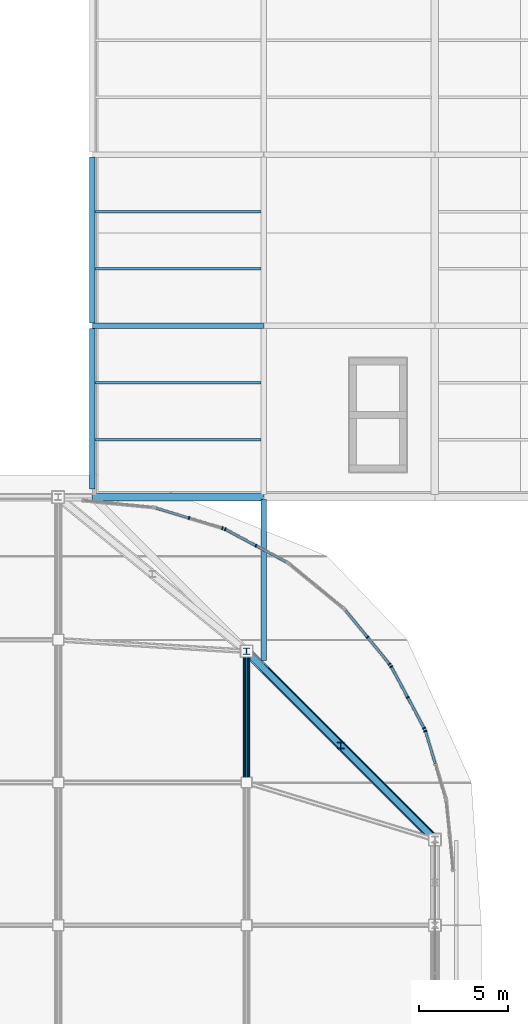
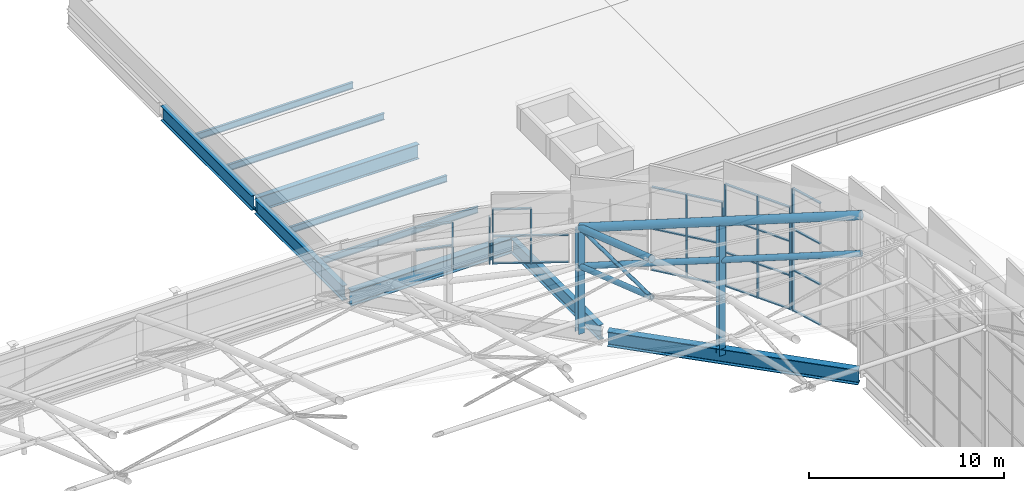
# One storey, part 29 of 42: 42 members, 10 beams, 5 elements without a shape of their own.
"""IFC4 building model written with IfcOpenShell, lengths in metres."""

from ifc_helpers import new_model, si_unit, direction, frame, origin, origin_2d, place, context, subcontext, project, spatial, rectangle, hollow_circle, i_section, extrude, material, layer, layer_set, material_profile, profile_set, type_object, element, aggregate, save


model = new_model("IFC4")

# Units and contexts
model_context = context("Model", 3, precision=1e-05, world=origin(), true_north=direction((0.0, 1.0)))
body_context = subcontext(model_context, "Body", "Model", "MODEL_VIEW")
ifc_project = project(units=[si_unit("LENGTHUNIT", "METRE"), si_unit("AREAUNIT", "SQUARE_METRE"), si_unit("VOLUMEUNIT", "CUBIC_METRE"), si_unit("PLANEANGLEUNIT", "RADIAN"), si_unit("MASSUNIT", "GRAM", prefix="KILO")], contexts=[model_context])

# Site, building, storey
site_placement = place(None, origin())
site = spatial("IfcSite", under=ifc_project, at=site_placement, CompositionType="ELEMENT")
building_placement = place(site_placement, origin())
building = spatial("IfcBuilding", under=site, at=building_placement, Name="Caelomonte Colonnade Arena", CompositionType="ELEMENT")
storey_placement = place(building_placement, frame((0.0, 0.0, 28.199951171875)))
storey = spatial("IfcBuildingStorey", under=building, at=storey_placement, Name="RF", CompositionType="ELEMENT", Elevation=28.199951171875)

# Curtain wall, member
ifc_material_1 = material(Name="Bronze anodised aluminium and low-E glazing", Category="aluminium")
ifc_layer_1 = layer(ifc_material_1, 0.179931640625)
ifc_layer_set_1 = layer_set([ifc_layer_1], Name="Bronze anodised aluminium and low-E glazing")
curtain_wall_type_1 = type_object("IfcCurtainWallType", Name="ENV-CW-CW-TYMPC-02-77", PredefinedType="USERDEFINED", material=ifc_layer_set_1)
curtain_wall_1_placement = place(storey_placement, origin())
curtain_wall_1 = element("IfcCurtainWall", 1, at=curtain_wall_1_placement, inside=storey, type_object=curtain_wall_type_1, Name="Barrel arch rounded corner clerestory curtain wall 10", ObjectType="UNITIZED CURTAIN WALL", PredefinedType="USERDEFINED")
ifc_material_2 = material(Name="Bronze anodised aluminium AA6063-T6", Category="aluminium")
ifc_material_profile_1 = material_profile(ifc_material_2, rectangle(XDim=0.070068359375, YDim=0.179931640625, at=origin_2d()), Name="CWM-70X180")
ifc_profile_set_1 = profile_set([ifc_material_profile_1], Name="Bronze anodised aluminium AA6063-T6")
member_type_1 = type_object("IfcMemberType", Name="ENV-CW-MULL1", PredefinedType="MULLION", material=ifc_profile_set_1)
member_1_placement = place(storey_placement, frame((162.659912109375, 102.086181640625, -0.14990234375), z_axis=(0.0, 0.0, 1.0), x_axis=(-0.290266004632, 0.956945999811, 0.0)))
member_1 = element("IfcMember", 2, at=member_1_placement, type_object=member_type_1, Name="CW-TYMPC-02-77 mullion 3", PredefinedType="MULLION", context=body_context, shape_type="SweptSolid", body=[
    extrude(rectangle(XDim=0.070068359375, YDim=0.179931640625, at=origin_2d()), origin(), (0.0, 0.0, 1.0), 7.666259765625),
])

# Curtain wall, members
ifc_layer_2 = layer(ifc_material_1, 0.179931640625)
ifc_layer_set_2 = layer_set([ifc_layer_2], Name="Bronze anodised aluminium and low-E glazing")
curtain_wall_type_2 = type_object("IfcCurtainWallType", Name="ENV-CW-CW-TYMPC-03-64", PredefinedType="USERDEFINED", material=ifc_layer_set_2)
curtain_wall_2_placement = place(storey_placement, origin())
curtain_wall_2 = element("IfcCurtainWall", 3, at=curtain_wall_2_placement, inside=storey, type_object=curtain_wall_type_2, Name="Barrel arch rounded corner clerestory curtain wall 11", ObjectType="UNITIZED CURTAIN WALL", PredefinedType="USERDEFINED")
member_2_placement = place(storey_placement, frame((162.59521484375, 102.242431640625, -0.14990234375), z_axis=(0.0, 0.0, 1.0), x_axis=(-0.471391087795, 0.881924283795, 0.0)))
member_2 = element("IfcMember", 4, at=member_2_placement, type_object=member_type_1, Name="CW-TYMPC-03-64 mullion 1", PredefinedType="MULLION", context=body_context, shape_type="SweptSolid", body=[
    extrude(rectangle(XDim=0.070068359375, YDim=0.179931640625, at=origin_2d()), origin(), (0.0, 0.0, 1.0), 6.40966796875),
])
member_3_placement = place(storey_placement, frame((161.673095703125, 103.96728515625, -0.14990234375), z_axis=(0.0, 0.0, 1.0), x_axis=(-0.471391087795, 0.881924283795, 0.0)))
member_3 = element("IfcMember", 5, at=member_3_placement, type_object=member_type_1, Name="CW-TYMPC-03-64 mullion 2", PredefinedType="MULLION", context=body_context, shape_type="SweptSolid", body=[
    extrude(rectangle(XDim=0.070068359375, YDim=0.179931640625, at=origin_2d()), origin(), (0.0, 0.0, 1.0), 6.40966796875),
])
member_4_placement = place(storey_placement, frame((160.751220703125, 105.692138671875, -0.14990234375), z_axis=(0.0, 0.0, 1.0), x_axis=(-0.471391087795, 0.881924283795, 0.0)))
member_4 = element("IfcMember", 6, at=member_4_placement, type_object=member_type_1, Name="CW-TYMPC-03-64 mullion 3", PredefinedType="MULLION", context=body_context, shape_type="SweptSolid", body=[
    extrude(rectangle(XDim=0.070068359375, YDim=0.179931640625, at=origin_2d()), origin(), (0.0, 0.0, 1.0), 6.40966796875),
])

ifc_layer_3 = layer(ifc_material_1, 0.179931640625)
ifc_layer_set_3 = layer_set([ifc_layer_3], Name="Bronze anodised aluminium and low-E glazing")
curtain_wall_type_3 = type_object("IfcCurtainWallType", Name="ENV-CW-CW-TYMPC-04-52", PredefinedType="USERDEFINED", material=ifc_layer_set_3)
curtain_wall_3_placement = place(storey_placement, origin())
curtain_wall_3 = element("IfcCurtainWall", 7, at=curtain_wall_3_placement, inside=storey, type_object=curtain_wall_type_3, Name="Barrel arch rounded corner clerestory curtain wall 12", ObjectType="UNITIZED CURTAIN WALL", PredefinedType="USERDEFINED")
member_5_placement = place(storey_placement, frame((160.6572265625, 105.832763671875, -0.14990234375), z_axis=(0.0, 0.0, 1.0), x_axis=(-0.634405129694, 0.773000731835, 0.0)))
member_5 = element("IfcMember", 8, at=member_5_placement, type_object=member_type_1, Name="CW-TYMPC-04-52 mullion 1", PredefinedType="MULLION", context=body_context, shape_type="SweptSolid", body=[
    extrude(rectangle(XDim=0.070068359375, YDim=0.179931640625, at=origin_2d()), origin(), (0.0, 0.0, 1.0), 5.236083984375),
])
member_6_placement = place(storey_placement, frame((159.41650390625, 107.344482421875, -0.14990234375), z_axis=(0.0, 0.0, 1.0), x_axis=(-0.634405129694, 0.773000731835, 0.0)))
member_6 = element("IfcMember", 9, at=member_6_placement, type_object=member_type_1, Name="CW-TYMPC-04-52 mullion 2", PredefinedType="MULLION", context=body_context, shape_type="SweptSolid", body=[
    extrude(rectangle(XDim=0.070068359375, YDim=0.179931640625, at=origin_2d()), origin(), (0.0, 0.0, 1.0), 5.236083984375),
])

ifc_layer_4 = layer(ifc_material_1, 0.179931640625)
ifc_layer_set_4 = layer_set([ifc_layer_4], Name="Bronze anodised aluminium and low-E glazing")
curtain_wall_type_4 = type_object("IfcCurtainWallType", Name="ENV-CW-CW-TYMPC-03-34", PredefinedType="USERDEFINED", material=ifc_layer_set_4)
curtain_wall_4_placement = place(storey_placement, origin())
curtain_wall_4 = element("IfcCurtainWall", 10, at=curtain_wall_4_placement, inside=storey, type_object=curtain_wall_type_4, Name="Barrel arch rounded corner clerestory curtain wall 14", ObjectType="UNITIZED CURTAIN WALL", PredefinedType="USERDEFINED")
member_7_placement = place(storey_placement, frame((153.167236328125, 112.47314453125, -0.14990234375), z_axis=(0.0, 0.0, 1.0), x_axis=(-0.881924283795, 0.471391087795, 0.0)))
member_7 = element("IfcMember", 11, at=member_7_placement, type_object=member_type_1, Name="CW-TYMPC-03-34 mullion 2", PredefinedType="MULLION", context=body_context, shape_type="SweptSolid", body=[
    extrude(rectangle(XDim=0.070068359375, YDim=0.179931640625, at=origin_2d()), origin(), (0.0, 0.0, 1.0), 3.43994140625),
])
member_8_placement = place(storey_placement, frame((151.4423828125, 113.39501953125, -0.14990234375), z_axis=(0.0, 0.0, 1.0), x_axis=(-0.881924283795, 0.471391087795, 0.0)))
member_8 = element("IfcMember", 12, at=member_8_placement, type_object=member_type_1, Name="CW-TYMPC-03-34 mullion 3", PredefinedType="MULLION", context=body_context, shape_type="SweptSolid", body=[
    extrude(rectangle(XDim=0.070068359375, YDim=0.179931640625, at=origin_2d()), origin(), (0.0, 0.0, 1.0), 3.43994140625),
])

ifc_layer_5 = layer(ifc_material_1, 0.179931640625)
ifc_layer_set_5 = layer_set([ifc_layer_5], Name="Bronze anodised aluminium and low-E glazing")
curtain_wall_type_5 = type_object("IfcCurtainWallType", Name="ENV-CW-CW-TYMPC-02-29", PredefinedType="USERDEFINED", material=ifc_layer_set_5)
curtain_wall_5_placement = place(storey_placement, origin())
curtain_wall_5 = element("IfcCurtainWall", 13, at=curtain_wall_5_placement, inside=storey, type_object=curtain_wall_type_5, Name="Barrel arch rounded corner clerestory curtain wall 15", ObjectType="UNITIZED CURTAIN WALL", PredefinedType="USERDEFINED")
member_9_placement = place(storey_placement, frame((151.2861328125, 113.4599609375, -0.14990234375), z_axis=(0.0, 0.0, 1.0), x_axis=(-0.956945999811, 0.290266004632, 0.0)))
member_9 = element("IfcMember", 14, at=member_9_placement, type_object=member_type_1, Name="CW-TYMPC-02-29 mullion 1", PredefinedType="MULLION", context=body_context, shape_type="SweptSolid", body=[
    extrude(rectangle(XDim=0.070068359375, YDim=0.179931640625, at=origin_2d()), origin(), (0.0, 0.0, 1.0), 2.945556640625),
])
member_10_placement = place(storey_placement, frame((149.41455078125, 114.027587890625, -0.14990234375), z_axis=(0.0, 0.0, 1.0), x_axis=(-0.956945999811, 0.290266004632, 0.0)))
member_10 = element("IfcMember", 15, at=member_10_placement, type_object=member_type_1, Name="CW-TYMPC-02-29 mullion 2", PredefinedType="MULLION", context=body_context, shape_type="SweptSolid", body=[
    extrude(rectangle(XDim=0.070068359375, YDim=0.179931640625, at=origin_2d()), origin(), (0.0, 0.0, 1.0), 2.945556640625),
])

# Member
ifc_material_profile_2 = material_profile(ifc_material_2, rectangle(XDim=0.070068359375, YDim=0.139892578125, at=origin_2d()), Name="CWT-70X140")
ifc_profile_set_2 = profile_set([ifc_material_profile_2], Name="Bronze anodised aluminium AA6063-T6")
member_type_2 = type_object("IfcMemberType", Name="ENV-CW-TRAN1", PredefinedType="USERDEFINED", material=ifc_profile_set_2)
member_11_placement = place(storey_placement, frame((163.21728515625, 100.248046875, -0.114990234375), z_axis=(-0.29024452618, 0.956952514508, 0.0), x_axis=(0.0, 0.0, 1.0)))
member_11 = element("IfcMember", 16, at=member_11_placement, type_object=member_type_2, Name="CW-TYMPC-02-77 transom 2.1", ObjectType="TRANSOM", PredefinedType="USERDEFINED", context=body_context, shape_type="SweptSolid", body=[
    extrude(rectangle(XDim=0.070068359375, YDim=0.139892578125, at=origin_2d()), origin(), (0.0, 0.0, 1.0), 1.885986328125),
])

member_12_placement = place(storey_placement, frame((163.21728515625, 100.248046875, 2.405517578125), z_axis=(-0.29024452618, 0.956952514508, 0.0), x_axis=(0.0, 0.0, 1.0)))
member_12 = element("IfcMember", 17, at=member_12_placement, type_object=member_type_2, Name="CW-TYMPC-02-77 transom 2.2", ObjectType="TRANSOM", PredefinedType="USERDEFINED", context=body_context, shape_type="SweptSolid", body=[
    extrude(rectangle(XDim=0.070068359375, YDim=0.139892578125, at=origin_2d()), origin(), (0.0, 0.0, 1.0), 1.885986328125),
])

member_13_placement = place(storey_placement, frame((163.21728515625, 100.248046875, 4.9609375), z_axis=(-0.29024452618, 0.956952514508, 0.0), x_axis=(0.0, 0.0, 1.0)))
member_13 = element("IfcMember", 18, at=member_13_placement, type_object=member_type_2, Name="CW-TYMPC-02-77 transom 2.3", ObjectType="TRANSOM", PredefinedType="USERDEFINED", context=body_context, shape_type="SweptSolid", body=[
    extrude(rectangle(XDim=0.070068359375, YDim=0.139892578125, at=origin_2d()), origin(), (0.0, 0.0, 1.0), 1.885986328125),
])

member_14_placement = place(storey_placement, frame((163.21728515625, 100.248046875, 7.481201171875), z_axis=(-0.29024452618, 0.956952514508, 0.0), x_axis=(0.0, 0.0, 1.0)))
member_14 = element("IfcMember", 19, at=member_14_placement, type_object=member_type_2, Name="CW-TYMPC-02-77 transom 2.4", ObjectType="TRANSOM", PredefinedType="USERDEFINED", context=body_context, shape_type="SweptSolid", body=[
    extrude(rectangle(XDim=0.070068359375, YDim=0.139892578125, at=origin_2d()), origin(), (0.0, 0.0, 1.0), 1.885986328125),
])

aggregate(curtain_wall_1, [member_1, member_11, member_12, member_13, member_14])

member_15_placement = place(storey_placement, frame((162.57861328125, 102.2734375, -0.114990234375), z_axis=(-0.471441516626, 0.881897327585, 0.0), x_axis=(0.0, 0.0, 1.0)))
member_15 = element("IfcMember", 20, at=member_15_placement, type_object=member_type_2, Name="CW-TYMPC-03-64 transom 1.1", ObjectType="TRANSOM", PredefinedType="USERDEFINED", context=body_context, shape_type="SweptSolid", body=[
    extrude(rectangle(XDim=0.070068359375, YDim=0.139892578125, at=origin_2d()), origin(), (0.0, 0.0, 1.0), 1.885498046875),
])

member_16_placement = place(storey_placement, frame((162.57861328125, 102.2734375, 1.986572265625), z_axis=(-0.471441516626, 0.881897327585, 0.0), x_axis=(0.0, 0.0, 1.0)))
member_16 = element("IfcMember", 21, at=member_16_placement, type_object=member_type_2, Name="CW-TYMPC-03-64 transom 1.2", ObjectType="TRANSOM", PredefinedType="USERDEFINED", context=body_context, shape_type="SweptSolid", body=[
    extrude(rectangle(XDim=0.070068359375, YDim=0.139892578125, at=origin_2d()), origin(), (0.0, 0.0, 1.0), 1.885498046875),
])

member_17_placement = place(storey_placement, frame((162.57861328125, 102.2734375, 4.123046875), z_axis=(-0.471441516626, 0.881897327585, 0.0), x_axis=(0.0, 0.0, 1.0)))
member_17 = element("IfcMember", 22, at=member_17_placement, type_object=member_type_2, Name="CW-TYMPC-03-64 transom 1.3", ObjectType="TRANSOM", PredefinedType="USERDEFINED", context=body_context, shape_type="SweptSolid", body=[
    extrude(rectangle(XDim=0.070068359375, YDim=0.139892578125, at=origin_2d()), origin(), (0.0, 0.0, 1.0), 1.885498046875),
])

member_18_placement = place(storey_placement, frame((162.57861328125, 102.2734375, 6.224853515625), z_axis=(-0.471441516626, 0.881897327585, 0.0), x_axis=(0.0, 0.0, 1.0)))
member_18 = element("IfcMember", 23, at=member_18_placement, type_object=member_type_2, Name="CW-TYMPC-03-64 transom 1.4", ObjectType="TRANSOM", PredefinedType="USERDEFINED", context=body_context, shape_type="SweptSolid", body=[
    extrude(rectangle(XDim=0.070068359375, YDim=0.139892578125, at=origin_2d()), origin(), (0.0, 0.0, 1.0), 1.885498046875),
])

member_19_placement = place(storey_placement, frame((161.65673828125, 103.998046875, -0.114990234375), z_axis=(-0.471387688347, 0.881926100802, 0.0), x_axis=(0.0, 0.0, 1.0)))
member_19 = element("IfcMember", 24, at=member_19_placement, type_object=member_type_2, Name="CW-TYMPC-03-64 transom 2.1", ObjectType="TRANSOM", PredefinedType="USERDEFINED", context=body_context, shape_type="SweptSolid", body=[
    extrude(rectangle(XDim=0.070068359375, YDim=0.139892578125, at=origin_2d()), origin(), (0.0, 0.0, 1.0), 1.8857421875),
])

member_20_placement = place(storey_placement, frame((161.65673828125, 103.998046875, 1.986572265625), z_axis=(-0.471387688347, 0.881926100802, 0.0), x_axis=(0.0, 0.0, 1.0)))
member_20 = element("IfcMember", 25, at=member_20_placement, type_object=member_type_2, Name="CW-TYMPC-03-64 transom 2.2", ObjectType="TRANSOM", PredefinedType="USERDEFINED", context=body_context, shape_type="SweptSolid", body=[
    extrude(rectangle(XDim=0.070068359375, YDim=0.139892578125, at=origin_2d()), origin(), (0.0, 0.0, 1.0), 1.8857421875),
])

member_21_placement = place(storey_placement, frame((161.65673828125, 103.998046875, 4.123046875), z_axis=(-0.471387688347, 0.881926100802, 0.0), x_axis=(0.0, 0.0, 1.0)))
member_21 = element("IfcMember", 26, at=member_21_placement, type_object=member_type_2, Name="CW-TYMPC-03-64 transom 2.3", ObjectType="TRANSOM", PredefinedType="USERDEFINED", context=body_context, shape_type="SweptSolid", body=[
    extrude(rectangle(XDim=0.070068359375, YDim=0.139892578125, at=origin_2d()), origin(), (0.0, 0.0, 1.0), 1.8857421875),
])

member_22_placement = place(storey_placement, frame((161.65673828125, 103.998046875, 6.224853515625), z_axis=(-0.471387688347, 0.881926100802, 0.0), x_axis=(0.0, 0.0, 1.0)))
member_22 = element("IfcMember", 27, at=member_22_placement, type_object=member_type_2, Name="CW-TYMPC-03-64 transom 2.4", ObjectType="TRANSOM", PredefinedType="USERDEFINED", context=body_context, shape_type="SweptSolid", body=[
    extrude(rectangle(XDim=0.070068359375, YDim=0.139892578125, at=origin_2d()), origin(), (0.0, 0.0, 1.0), 1.8857421875),
])

aggregate(curtain_wall_2, [member_2, member_3, member_4, member_15, member_16, member_17, member_18, member_19, member_20, member_21, member_22])

member_23_placement = place(storey_placement, frame((160.635009765625, 105.85986328125, -0.114990234375), z_axis=(-0.634435651463, 0.772975681476, 0.0), x_axis=(0.0, 0.0, 1.0)))
member_23 = element("IfcMember", 28, at=member_23_placement, type_object=member_type_2, Name="CW-TYMPC-04-52 transom 1.1", ObjectType="TRANSOM", PredefinedType="USERDEFINED", context=body_context, shape_type="SweptSolid", body=[
    extrude(rectangle(XDim=0.070068359375, YDim=0.139892578125, at=origin_2d()), origin(), (0.0, 0.0, 1.0), 1.885498046875),
])

member_24_placement = place(storey_placement, frame((160.635009765625, 105.85986328125, 2.46826171875), z_axis=(-0.634435651463, 0.772975681476, 0.0), x_axis=(0.0, 0.0, 1.0)))
member_24 = element("IfcMember", 29, at=member_24_placement, type_object=member_type_2, Name="CW-TYMPC-04-52 transom 1.2", ObjectType="TRANSOM", PredefinedType="USERDEFINED", context=body_context, shape_type="SweptSolid", body=[
    extrude(rectangle(XDim=0.070068359375, YDim=0.139892578125, at=origin_2d()), origin(), (0.0, 0.0, 1.0), 1.885498046875),
])

member_25_placement = place(storey_placement, frame((160.635009765625, 105.85986328125, 5.05126953125), z_axis=(-0.634435651463, 0.772975681476, 0.0), x_axis=(0.0, 0.0, 1.0)))
member_25 = element("IfcMember", 30, at=member_25_placement, type_object=member_type_2, Name="CW-TYMPC-04-52 transom 1.3", ObjectType="TRANSOM", PredefinedType="USERDEFINED", context=body_context, shape_type="SweptSolid", body=[
    extrude(rectangle(XDim=0.070068359375, YDim=0.139892578125, at=origin_2d()), origin(), (0.0, 0.0, 1.0), 1.885498046875),
])

member_26_placement = place(storey_placement, frame((159.394287109375, 107.37158203125, -0.114990234375), z_axis=(-0.634435651463, 0.772975681476, 0.0), x_axis=(0.0, 0.0, 1.0)))
member_26 = element("IfcMember", 31, at=member_26_placement, type_object=member_type_2, Name="CW-TYMPC-04-52 transom 2.1", ObjectType="TRANSOM", PredefinedType="USERDEFINED", context=body_context, shape_type="SweptSolid", body=[
    extrude(rectangle(XDim=0.070068359375, YDim=0.139892578125, at=origin_2d()), origin(), (0.0, 0.0, 1.0), 1.885498046875),
])

member_27_placement = place(storey_placement, frame((159.394287109375, 107.37158203125, 2.46826171875), z_axis=(-0.634435651463, 0.772975681476, 0.0), x_axis=(0.0, 0.0, 1.0)))
member_27 = element("IfcMember", 32, at=member_27_placement, type_object=member_type_2, Name="CW-TYMPC-04-52 transom 2.2", ObjectType="TRANSOM", PredefinedType="USERDEFINED", context=body_context, shape_type="SweptSolid", body=[
    extrude(rectangle(XDim=0.070068359375, YDim=0.139892578125, at=origin_2d()), origin(), (0.0, 0.0, 1.0), 1.885498046875),
])

member_28_placement = place(storey_placement, frame((159.394287109375, 107.37158203125, 5.05126953125), z_axis=(-0.634435651463, 0.772975681476, 0.0), x_axis=(0.0, 0.0, 1.0)))
member_28 = element("IfcMember", 33, at=member_28_placement, type_object=member_type_2, Name="CW-TYMPC-04-52 transom 2.3", ObjectType="TRANSOM", PredefinedType="USERDEFINED", context=body_context, shape_type="SweptSolid", body=[
    extrude(rectangle(XDim=0.070068359375, YDim=0.139892578125, at=origin_2d()), origin(), (0.0, 0.0, 1.0), 1.885498046875),
])

aggregate(curtain_wall_3, [member_5, member_6, member_23, member_24, member_25, member_26, member_27, member_28])

member_29_placement = place(storey_placement, frame((154.861083984375, 111.56787109375, -0.114990234375), z_axis=(-0.881926100802, 0.471387688347, 0.0), x_axis=(0.0, 0.0, 1.0)))
member_29 = element("IfcMember", 34, at=member_29_placement, type_object=member_type_2, Name="CW-TYMPC-03-34 transom 1.1", ObjectType="TRANSOM", PredefinedType="USERDEFINED", context=body_context, shape_type="SweptSolid", body=[
    extrude(rectangle(XDim=0.070068359375, YDim=0.139892578125, at=origin_2d()), origin(), (0.0, 0.0, 1.0), 1.8857421875),
])

member_30_placement = place(storey_placement, frame((154.861083984375, 111.56787109375, 1.570068359375), z_axis=(-0.881926100802, 0.471387688347, 0.0), x_axis=(0.0, 0.0, 1.0)))
member_30 = element("IfcMember", 35, at=member_30_placement, type_object=member_type_2, Name="CW-TYMPC-03-34 transom 1.2", ObjectType="TRANSOM", PredefinedType="USERDEFINED", context=body_context, shape_type="SweptSolid", body=[
    extrude(rectangle(XDim=0.070068359375, YDim=0.139892578125, at=origin_2d()), origin(), (0.0, 0.0, 1.0), 1.8857421875),
])

member_31_placement = place(storey_placement, frame((153.136474609375, 112.48974609375, -0.114990234375), z_axis=(-0.881926100802, 0.471387688347, 0.0), x_axis=(0.0, 0.0, 1.0)))
member_31 = element("IfcMember", 36, at=member_31_placement, type_object=member_type_2, Name="CW-TYMPC-03-34 transom 2.1", ObjectType="TRANSOM", PredefinedType="USERDEFINED", context=body_context, shape_type="SweptSolid", body=[
    extrude(rectangle(XDim=0.070068359375, YDim=0.139892578125, at=origin_2d()), origin(), (0.0, 0.0, 1.0), 1.8857421875),
])

member_32_placement = place(storey_placement, frame((153.136474609375, 112.48974609375, 1.570068359375), z_axis=(-0.881926100802, 0.471387688347, 0.0), x_axis=(0.0, 0.0, 1.0)))
member_32 = element("IfcMember", 37, at=member_32_placement, type_object=member_type_2, Name="CW-TYMPC-03-34 transom 2.2", ObjectType="TRANSOM", PredefinedType="USERDEFINED", context=body_context, shape_type="SweptSolid", body=[
    extrude(rectangle(XDim=0.070068359375, YDim=0.139892578125, at=origin_2d()), origin(), (0.0, 0.0, 1.0), 1.8857421875),
])

member_33_placement = place(storey_placement, frame((153.136474609375, 112.48974609375, 3.2548828125), z_axis=(-0.881926100802, 0.471387688347, 0.0), x_axis=(0.0, 0.0, 1.0)))
member_33 = element("IfcMember", 38, at=member_33_placement, type_object=member_type_2, Name="CW-TYMPC-03-34 transom 2.3", ObjectType="TRANSOM", PredefinedType="USERDEFINED", context=body_context, shape_type="SweptSolid", body=[
    extrude(rectangle(XDim=0.070068359375, YDim=0.139892578125, at=origin_2d()), origin(), (0.0, 0.0, 1.0), 1.8857421875),
])

aggregate(curtain_wall_4, [member_7, member_8, member_29, member_30, member_31, member_32, member_33])

member_34_placement = place(storey_placement, frame((149.381103515625, 114.03759765625, 1.32275390625), z_axis=(-0.956941606706, 0.290280487381, 0.0), x_axis=(0.0, 0.0, 1.0)))
member_34 = element("IfcMember", 39, at=member_34_placement, type_object=member_type_2, Name="CW-TYMPC-02-29 transom 2.2", ObjectType="TRANSOM", PredefinedType="USERDEFINED", context=body_context, shape_type="SweptSolid", body=[
    extrude(rectangle(XDim=0.070068359375, YDim=0.139892578125, at=origin_2d()), origin(), (0.0, 0.0, 1.0), 1.8857421875),
])

member_35_placement = place(storey_placement, frame((149.381103515625, 114.03759765625, 2.760498046875), z_axis=(-0.956941606706, 0.290280487381, 0.0), x_axis=(0.0, 0.0, 1.0)))
member_35 = element("IfcMember", 40, at=member_35_placement, type_object=member_type_2, Name="CW-TYMPC-02-29 transom 2.3", ObjectType="TRANSOM", PredefinedType="USERDEFINED", context=body_context, shape_type="SweptSolid", body=[
    extrude(rectangle(XDim=0.070068359375, YDim=0.139892578125, at=origin_2d()), origin(), (0.0, 0.0, 1.0), 1.8857421875),
])

aggregate(curtain_wall_5, [member_9, member_10, member_34, member_35])

# Beams
ifc_material_3 = material(Name="Wide-flange steel ASTM A992 Grade 50", Category="steel")
ifc_material_profile_3 = material_profile(ifc_material_3, i_section(OverallWidth=0.418212890625, OverallDepth=0.927001953125, WebThickness=0.019287109375, FlangeThickness=0.031982421875, FilletRadius=0.024169921875, at=origin_2d()), Name="W36X231")
ifc_profile_set_3 = profile_set([ifc_material_profile_3], Name="Wide-flange steel ASTM A992 Grade 50")
beam_type_1 = type_object("IfcBeamType", Name="STR-BM-EAVES1", PredefinedType="SPANDREL", material=ifc_profile_set_3)
beam_1_placement = place(storey_placement, frame((144.00830078125, 115.199951171875, -0.743408203125), z_axis=(1.0, 0.0, 0.0), x_axis=(0.0, 1.0, 0.0)))
element("IfcBeam", 41, at=beam_1_placement, inside=storey, type_object=beam_type_1, Name="RF girder BMX-RF-1440-1152", PredefinedType="SPANDREL", context=body_context, shape_type="SweptSolid", body=[
    extrude(i_section(OverallWidth=0.418212890625, OverallDepth=0.927001953125, WebThickness=0.019287109375, FlangeThickness=0.031982421875, FilletRadius=0.024169921875, at=origin_2d()), origin(), (0.0, 0.0, 1.0), 9.586669921875),
])
beam_2_placement = place(storey_placement, frame((163.097900390625, 96.10205078125, -0.743408203125), z_axis=(-0.707106781187, 0.707106781187, 0.0), x_axis=(-0.707106781187, -0.707106781187, 0.0)))
element("IfcBeam", 42, at=beam_2_placement, inside=storey, type_object=beam_type_1, Name="RF drum corner ring girder 5", PredefinedType="SPANDREL", context=body_context, shape_type="SweptSolid", body=[
    extrude(i_section(OverallWidth=0.418212890625, OverallDepth=0.927001953125, WebThickness=0.019287109375, FlangeThickness=0.031982421875, FilletRadius=0.024169921875, at=origin_2d()), origin(), (0.0, 0.0, 1.0), 13.28759765625),
])
ifc_material_profile_4 = material_profile(ifc_material_3, i_section(OverallWidth=0.3046875, OverallDepth=0.914306640625, WebThickness=0.0166015625, FlangeThickness=0.02587890625, FilletRadius=0.020263671875, at=origin_2d()), Name="W36X160")
ifc_profile_set_4 = profile_set([ifc_material_profile_4], Name="Wide-flange steel ASTM A992 Grade 50")
beam_type_2 = type_object("IfcBeamType", Name="STR-BM-EAVES3", PredefinedType="SPANDREL", material=ifc_profile_set_4)
beam_3_placement = place(storey_placement, frame((144.0048828125, 124.800048828125, -0.737060546875), z_axis=(1.0, 0.0, 0.0), x_axis=(0.0, 1.0, 0.0)))
element("IfcBeam", 43, at=beam_3_placement, inside=storey, type_object=beam_type_2, Name="RF girder BMX-RF-1440-1248", PredefinedType="SPANDREL", context=body_context, shape_type="SweptSolid", body=[
    extrude(i_section(OverallWidth=0.3046875, OverallDepth=0.914306640625, WebThickness=0.0166015625, FlangeThickness=0.02587890625, FilletRadius=0.020263671875, at=origin_2d()), origin(), (0.0, 0.0, 1.0), 9.590087890625),
])
beam_4_placement = place(storey_placement, frame((144.0, 115.649169921875, -0.737060546875), z_axis=(0.0, 1.0, 0.0), x_axis=(-1.0, 0.0, 0.0)))
element("IfcBeam", 44, at=beam_4_placement, inside=storey, type_object=beam_type_2, Name="RF girder BMY-RF-1440-1152", PredefinedType="SPANDREL", context=body_context, shape_type="SweptSolid", body=[
    extrude(i_section(OverallWidth=0.3046875, OverallDepth=0.914306640625, WebThickness=0.0166015625, FlangeThickness=0.02587890625, FilletRadius=0.020263671875, at=origin_2d()), origin(), (0.0, 0.0, 1.0), 9.0048828125),
])
beam_5_placement = place(storey_placement, frame((144.0, 124.94580078125, -0.737060546875), z_axis=(0.0, 1.0, 0.0), x_axis=(-1.0, 0.0, 0.0)))
element("IfcBeam", 45, at=beam_5_placement, inside=storey, type_object=beam_type_2, Name="RF girder BMY-RF-1440-1248", PredefinedType="SPANDREL", context=body_context, shape_type="SweptSolid", body=[
    extrude(i_section(OverallWidth=0.3046875, OverallDepth=0.914306640625, WebThickness=0.0166015625, FlangeThickness=0.02587890625, FilletRadius=0.020263671875, at=origin_2d()), origin(), (0.0, 0.0, 1.0), 9.308349609375),
])
beam_6_placement = place(storey_placement, frame((153.60009765625, 106.04931640625, -0.737060546875), z_axis=(0.0, 1.0, 0.0), x_axis=(-1.0, 0.0, 0.0)))
element("IfcBeam", 46, at=beam_6_placement, inside=storey, type_object=beam_type_2, Name="RF girder BMY-RF-1536-1056", PredefinedType="SPANDREL", context=body_context, shape_type="SweptSolid", body=[
    extrude(i_section(OverallWidth=0.3046875, OverallDepth=0.914306640625, WebThickness=0.0166015625, FlangeThickness=0.02587890625, FilletRadius=0.020263671875, at=origin_2d()), origin(), (0.0, 0.0, 1.0), 9.0048828125),
])
ifc_material_profile_5 = material_profile(ifc_material_3, i_section(OverallWidth=0.140380859375, OverallDepth=0.40380859375, WebThickness=0.007080078125, FlangeThickness=0.01123046875, FilletRadius=0.01025390625, at=origin_2d()), Name="W16X31")
ifc_profile_set_5 = profile_set([ifc_material_profile_5], Name="Wide-flange steel ASTM A992 Grade 50")
beam_type_3 = type_object("IfcBeamType", Name="STR-BM-JOIST16B", PredefinedType="JOIST", material=ifc_profile_set_5)
for number, where, z_axis, x_axis, name in (
    (47, (144.1474609375, 118.39990234375, -0.48193359375), (1.0, 0.0, 0.0), (0.0, 1.0, 0.0), "RF secondary joist 1"),
    (48, (144.1474609375, 121.60009765625, -0.48193359375), (1.0, 0.0, 0.0), (0.0, 1.0, 0.0), "RF secondary joist 2"),
    (49, (144.1474609375, 128.0, -0.48193359375), (1.0, 0.0, 0.0), (0.0, 1.0, 0.0), "RF secondary joist 1"),
    (50, (144.1474609375, 131.199951171875, -0.48193359375), (1.0, 0.0, 0.0), (0.0, 1.0, 0.0), "RF secondary joist 2"),
):
    element("IfcBeam", number, at=place(storey_placement, frame(where, z_axis=z_axis, x_axis=x_axis)), inside=storey, type_object=beam_type_3, Name=name, PredefinedType="JOIST", context=body_context, shape_type="SweptSolid", body=[
        extrude(i_section(OverallWidth=0.140380859375, OverallDepth=0.40380859375, WebThickness=0.007080078125, FlangeThickness=0.01123046875, FilletRadius=0.01025390625, at=origin_2d()), origin(), (0.0, 0.0, 1.0), 9.30517578125),
    ])

# Members
ifc_material_profile_6 = material_profile(ifc_material_3, i_section(OverallWidth=0.368896484375, OverallDepth=0.356201171875, WebThickness=0.01123046875, FlangeThickness=0.01806640625, FilletRadius=0.01513671875, at=origin_2d()), Name="W14X90")
ifc_profile_set_6 = profile_set([ifc_material_profile_6], Name="Wide-flange steel ASTM A992 Grade 50")
member_type_3 = type_object("IfcMemberType", Name="STR-CAT-STR", PredefinedType="STRUT", material=ifc_profile_set_6)
member_36_placement = place(storey_placement, frame((152.639892578125, 106.56005859375, -0.699951171875), z_axis=(0.0, 0.0, 1.0), x_axis=(1.0, 0.0, 0.0)))
element("IfcMember", 51, at=member_36_placement, inside=storey, type_object=member_type_3, Name="Roof truss eaves bearing post 9-11", PredefinedType="STRUT", context=body_context, shape_type="SweptSolid", body=[
    extrude(i_section(OverallWidth=0.368896484375, OverallDepth=0.356201171875, WebThickness=0.01123046875, FlangeThickness=0.01806640625, FilletRadius=0.01513671875, at=origin_2d()), origin(), (0.0, 0.0, 1.0), 6.52099609375),
])
member_37_placement = place(storey_placement, frame((157.919921875, 101.280029296875, -0.699951171875), z_axis=(0.0, 0.0, 1.0), x_axis=(1.0, 0.0, 0.0)))
element("IfcMember", 52, at=member_37_placement, inside=storey, type_object=member_type_3, Name="Rounded corner roof Vierendeel post NE-1", PredefinedType="STRUT", context=body_context, shape_type="SweptSolid", body=[
    extrude(i_section(OverallWidth=0.368896484375, OverallDepth=0.356201171875, WebThickness=0.01123046875, FlangeThickness=0.01806640625, FilletRadius=0.01513671875, at=origin_2d()), origin(), (0.0, 0.0, 1.0), 8.26806640625),
])
ifc_material_4 = material(Name="Steel ASTM A500 Grade C", Category="steel")
ifc_material_profile_7 = material_profile(ifc_material_4, hollow_circle(Radius=0.177734375, WallThickness=0.0126953125, at=origin_2d()), Name="CHS355.6X12.7")
ifc_profile_set_7 = profile_set([ifc_material_profile_7], Name="Steel ASTM A500 Grade C")
member_type_4 = type_object("IfcMemberType", Name="STR-SF-BC1", PredefinedType="CHORD", material=ifc_profile_set_7)
member_38_placement = place(storey_placement, frame((163.198486328125, 96.00146484375, 6.91455078125), z_axis=(-0.688515259642, 0.688515259642, -0.227801392621), x_axis=(-0.707106781187, -0.707106781187, 0.0)))
element("IfcMember", 53, at=member_38_placement, inside=storey, type_object=member_type_4, Name="Rounded corner roof bottom chord NE-1", PredefinedType="CHORD", context=body_context, shape_type="SweptSolid", body=[
    extrude(hollow_circle(Radius=0.177734375, WallThickness=0.0126953125, at=origin_2d()), origin(), (0.0, 0.0, 1.0), 15.333251953125),
])
ifc_material_profile_8 = material_profile(ifc_material_4, hollow_circle(Radius=0.161865234375, WallThickness=0.010009765625, at=origin_2d()), Name="CHS323.9X10.0")
ifc_profile_set_8 = profile_set([ifc_material_profile_8], Name="Steel ASTM A500 Grade C")
member_type_5 = type_object("IfcMemberType", Name="STR-SF-BC2", PredefinedType="CHORD", material=ifc_profile_set_8)
member_39_placement = place(storey_placement, frame((152.639892578125, 99.201904296875, 5.935546875), z_axis=(0.0, 0.946269481758, -0.323379139546), x_axis=(-1.0, 0.0, 0.0)))
element("IfcMember", 54, at=member_39_placement, inside=storey, type_object=member_type_5, Name="Arched roof truss bottom chord 9-10", PredefinedType="CHORD", context=body_context, shape_type="SweptSolid", body=[
    extrude(hollow_circle(Radius=0.161865234375, WallThickness=0.010009765625, at=origin_2d()), origin(), (0.0, 0.0, 1.0), 7.77392578125),
])
ifc_material_profile_9 = material_profile(ifc_material_4, hollow_circle(Radius=0.25390625, WallThickness=0.015869140625, at=origin_2d()), Name="CHS508X15.9")
ifc_profile_set_9 = profile_set([ifc_material_profile_9], Name="Steel ASTM A500 Grade C")
member_type_6 = type_object("IfcMemberType", Name="STR-SF-TC1", PredefinedType="CHORD", material=ifc_profile_set_9)
member_40_placement = place(storey_placement, frame((163.198486328125, 96.00146484375, 9.314453125), z_axis=(-0.688515259642, 0.688515259642, -0.227801392621), x_axis=(-0.707106781187, -0.707106781187, 0.0)))
element("IfcMember", 55, at=member_40_placement, inside=storey, type_object=member_type_6, Name="Rounded corner roof top chord NE-1", PredefinedType="CHORD", context=body_context, shape_type="SweptSolid", body=[
    extrude(hollow_circle(Radius=0.25390625, WallThickness=0.015869140625, at=origin_2d()), origin(), (0.0, 0.0, 1.0), 15.333251953125),
])
ifc_material_profile_10 = material_profile(ifc_material_4, hollow_circle(Radius=0.203125, WallThickness=0.0126953125, at=origin_2d()), Name="CHS406.4X12.7")
ifc_profile_set_10 = profile_set([ifc_material_profile_10], Name="Steel ASTM A500 Grade C")
member_type_7 = type_object("IfcMemberType", Name="STR-SF-TC2", PredefinedType="CHORD", material=ifc_profile_set_10)
member_41_placement = place(storey_placement, frame((152.639892578125, 99.201904296875, 8.33544921875), z_axis=(0.0, 0.946279091542, -0.323351018105), x_axis=(-1.0, 0.0, 0.0)))
element("IfcMember", 56, at=member_41_placement, inside=storey, type_object=member_type_7, Name="Arched roof truss top chord 9-10", PredefinedType="CHORD", context=body_context, shape_type="SweptSolid", body=[
    extrude(hollow_circle(Radius=0.203125, WallThickness=0.0126953125, at=origin_2d()), origin(), (0.0, 0.0, 1.0), 7.77392578125),
])
ifc_material_profile_11 = material_profile(ifc_material_4, hollow_circle(Radius=0.109619140625, WallThickness=0.00830078125, at=origin_2d()), Name="CHS219.1X8.2")
ifc_profile_set_11 = profile_set([ifc_material_profile_11], Name="Steel ASTM A500 Grade C")
member_type_8 = type_object("IfcMemberType", Name="STR-SF-WEB1", PredefinedType="BRACE", material=ifc_profile_set_11)
member_42_placement = place(storey_placement, frame((152.639892578125, 99.201904296875, 5.93603515625), z_axis=(0.0, 0.999877846716, -0.015629831927), x_axis=(-1.0, 0.0, 0.0)))
element("IfcMember", 57, at=member_42_placement, inside=storey, type_object=member_type_8, Name="Space frame roof truss web diagonal 9-10", PredefinedType="BRACE", context=body_context, shape_type="SweptSolid", body=[
    extrude(hollow_circle(Radius=0.109619140625, WallThickness=0.00830078125, at=origin_2d()), origin(), (0.0, 0.0, 1.0), 7.357177734375),
])

save(model, "model.ifc")
